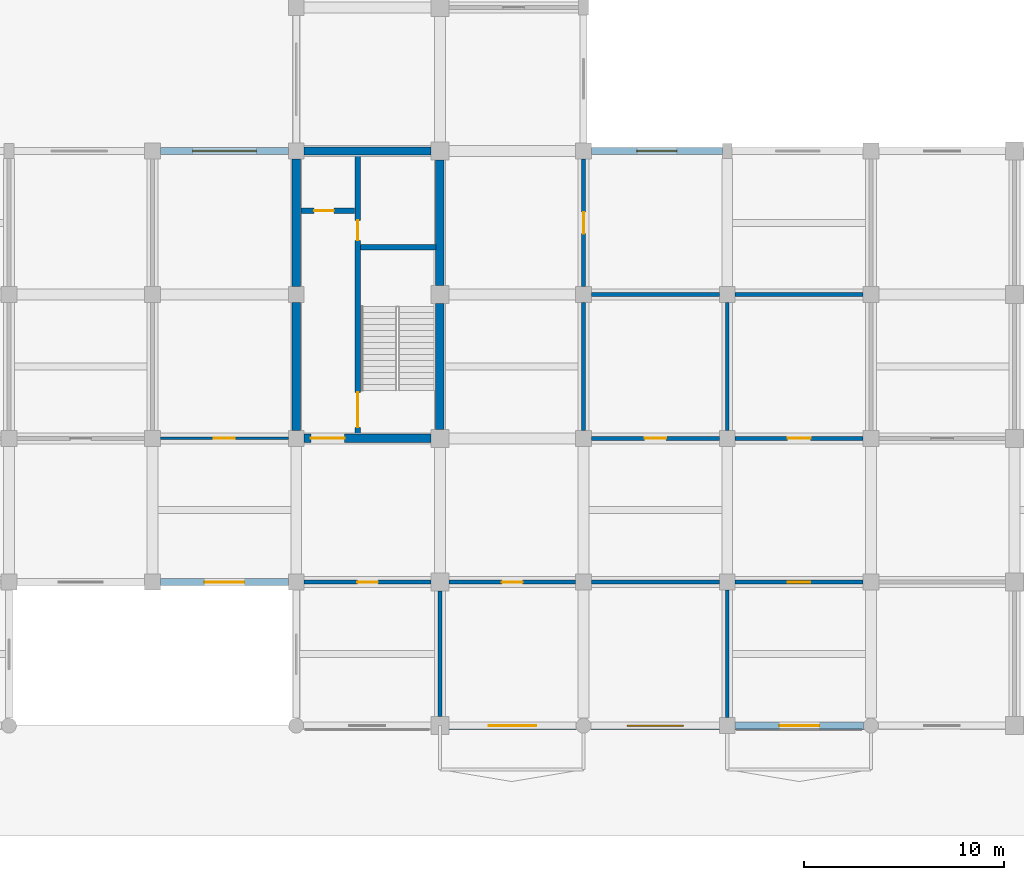
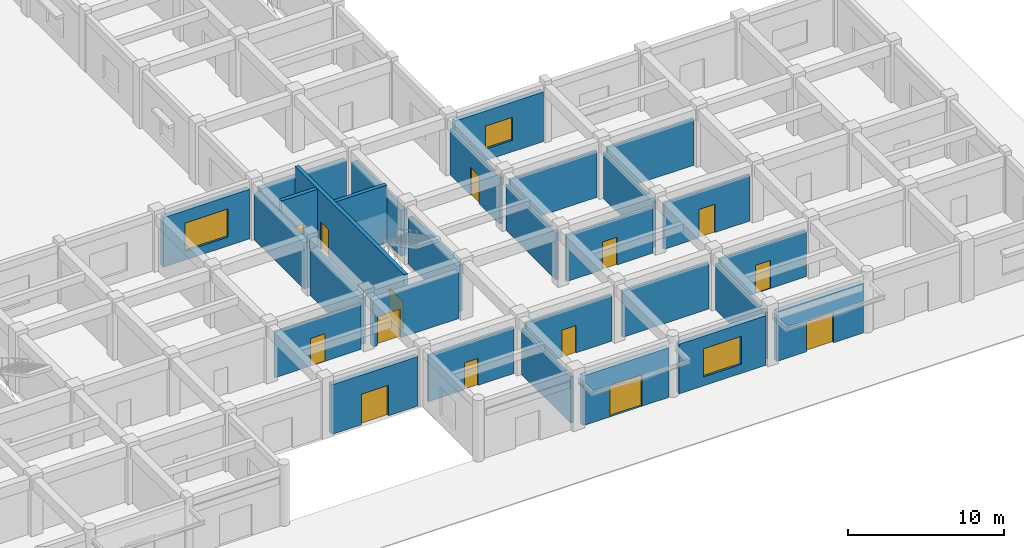
# One storey, part 17 of 37: 29 walls, 14 doors, 3 windows, 17 openings.
"""IFC4 building model written with IfcOpenShell, lengths in metres."""

from ifc_helpers import new_model, si_unit, direction, frame, frame_2d, origin, place, context, subcontext, project, spatial, rectangle, extrude, material, layer, layer_set, type_object, element, fill, save


model = new_model("IFC4")

# Units and contexts
model_context = context("Model", 3, precision=1e-05, world=origin(), true_north=direction((0.0, 1.0)))
body_context = subcontext(model_context, "Body", "Model", "MODEL_VIEW")
ifc_project = project(units=[si_unit("LENGTHUNIT", "METRE"), si_unit("AREAUNIT", "SQUARE_METRE"), si_unit("VOLUMEUNIT", "CUBIC_METRE"), si_unit("PLANEANGLEUNIT", "RADIAN"), si_unit("MASSUNIT", "GRAM", prefix="KILO")], contexts=[model_context])

# Site, building, storey
site_placement = place(None, origin())
site = spatial("IfcSite", under=ifc_project, at=site_placement, CompositionType="ELEMENT")
building_placement = place(site_placement, origin())
building = spatial("IfcBuilding", under=site, at=building_placement, Name="Cendaluz Park School", CompositionType="ELEMENT")
storey_placement = place(building_placement, origin())
storey = spatial("IfcBuildingStorey", under=building, at=storey_placement, Name="L00", CompositionType="ELEMENT", Elevation=0.0)

# Wall
ifc_material_1 = material(Name="Gypsum Plasterboard on Cold-Formed Stud", Category="gypsum")
ifc_layer_1 = layer(ifc_material_1, 0.199951171875)
ifc_layer_set_1 = layer_set([ifc_layer_1], Name="Gypsum Plasterboard on Cold-Formed Stud")
wall_type_1 = type_object("IfcWallType", Name="W-AC20", PredefinedType="PARTITIONING", material=ifc_layer_set_1)
wall_1_placement = place(storey_placement, frame((144.39990234375, 21.60009765625, 0.0), z_axis=(0.0, 0.0, 1.0), x_axis=(1.0, 0.0, 0.0)))
element("IfcWall", 1, at=wall_1_placement, inside=storey, type_object=wall_type_1, Name="WL-FA-CH8", PredefinedType="PARTITIONING", context=body_context, shape_type="SweptSolid", body=[
    extrude(rectangle(XDim=6.400146484375, YDim=0.199951171875, at=frame_2d((3.2001953125, 0.0))), origin(), (0.0, 0.0, 1.0), 3.6201171875),
])

# Wall, opening, door
wall_2_placement = place(storey_placement, frame((144.0, 22.0, 0.0), z_axis=(0.0, 0.0, 1.0), x_axis=(0.0, 1.0, 0.0)))
wall_2 = element("IfcWall", 2, at=wall_2_placement, inside=storey, type_object=wall_type_1, Name="WL-FA-CH9", PredefinedType="PARTITIONING", context=body_context, shape_type="SweptSolid", body=[
    extrude(rectangle(XDim=6.39990234375, YDim=0.199951171875, at=frame_2d((3.199951171875, 0.0))), origin(), (0.0, 0.0, 1.0), 3.6201171875),
])
opening_1_placement = place(wall_2_placement, frame((2.659912109375, 0.0, 0.0)))
opening_1 = element("IfcOpeningElement", 3, at=opening_1_placement, cuts=wall_2, Name="Opening DCL-05", PredefinedType="OPENING", context=body_context, shape_type="SweptSolid", body=[
    extrude(rectangle(XDim=1.080078125, YDim=2.179931640625, at=frame_2d((0.5400390625, 1.08984375))), frame((0.0, 0.112060546875, 0.0), z_axis=(0.0, -1.0, 0.0), x_axis=(1.0, 0.0, 0.0)), (0.0, 0.0, 1.0), 0.223876953125),
])
ifc_material_2 = material(Name="Solid Core Hardwood", Category="wood")
door_type_1 = type_object("IfcDoorType", Name="DCL-05", OperationType="NOTDEFINED", PredefinedType="DOOR", material=ifc_material_2)
door_1_placement = place(opening_1_placement, frame((1.080078125, 0.0, 0.0), z_axis=(0.0, 0.0, 1.0), x_axis=(-1.0, 0.0, 0.0)))
door_1 = element("IfcDoor", 4, at=door_1_placement, inside=storey, type_object=door_type_1, Name="D-L00-087", OperationType="SINGLE_SWING_LEFT", OverallHeight=2.179931640625, OverallWidth=1.080078125, PredefinedType="DOOR", context=body_context, shape_type="SweptSolid", body=[
    extrude(rectangle(XDim=1.080078125, YDim=2.179931640625, at=frame_2d((0.5400390625, 1.08984375))), frame((0.0, 0.02490234375, 0.0), z_axis=(0.0, -1.0, 0.0), x_axis=(1.0, 0.0, 0.0)), (0.0, 0.0, 1.0), 0.050048828125),
])
fill(opening_1, door_1)

# Wall
wall_3_placement = place(storey_placement, frame((151.60009765625, 21.60009765625, 0.0), z_axis=(0.0, 0.0, 1.0), x_axis=(1.0, 0.0, 0.0)))
element("IfcWall", 5, at=wall_3_placement, inside=storey, type_object=wall_type_1, Name="WL-FA-CI0", PredefinedType="PARTITIONING", context=body_context, shape_type="SweptSolid", body=[
    extrude(rectangle(XDim=6.39990234375, YDim=0.199951171875, at=frame_2d((3.199951171875, 0.0))), origin(), (0.0, 0.0, 1.0), 3.6201171875),
])

# Wall, opening, door
wall_4_placement = place(storey_placement, frame((130.0, 7.199951171875, 0.0), z_axis=(0.0, 0.0, 1.0), x_axis=(1.0, 0.0, 0.0)))
wall_4 = element("IfcWall", 6, at=wall_4_placement, inside=storey, type_object=wall_type_1, Name="WL-FA-CM0", PredefinedType="PARTITIONING", context=body_context, shape_type="SweptSolid", body=[
    extrude(rectangle(XDim=6.35009765625, YDim=0.199951171875, at=frame_2d((3.175048828125, 0.0))), origin(), (0.0, 0.0, 1.0), 3.6201171875),
])
opening_2_placement = place(wall_4_placement, frame((2.6650390625, 0.0, 0.0)))
opening_2 = element("IfcOpeningElement", 7, at=opening_2_placement, cuts=wall_4, Name="Opening DCL-02", PredefinedType="OPENING", context=body_context, shape_type="SweptSolid", body=[
    extrude(rectangle(XDim=1.02001953125, YDim=2.1201171875, at=frame_2d((0.510009765625, 1.06005859375))), frame((0.0, 0.112060546875, 0.0), z_axis=(0.0, -1.0, 0.0), x_axis=(1.0, 0.0, 0.0)), (0.0, 0.0, 1.0), 0.223876953125),
])
door_type_2 = type_object("IfcDoorType", Name="DCL-02", OperationType="NOTDEFINED", PredefinedType="DOOR", material=ifc_material_2)
door_2_placement = place(opening_2_placement, frame((1.02001953125, 0.0, 0.0), z_axis=(0.0, 0.0, 1.0), x_axis=(-1.0, 0.0, 0.0)))
door_2 = element("IfcDoor", 8, at=door_2_placement, inside=storey, type_object=door_type_2, Name="D-L00-104", OperationType="SINGLE_SWING_RIGHT", OverallHeight=2.1201171875, OverallWidth=1.02001953125, PredefinedType="DOOR", context=body_context, shape_type="SweptSolid", body=[
    extrude(rectangle(XDim=1.02001953125, YDim=2.1201171875, at=frame_2d((0.510009765625, 1.06005859375))), frame((0.0, 0.02490234375, 0.0), z_axis=(0.0, -1.0, 0.0), x_axis=(1.0, 0.0, 0.0)), (0.0, 0.0, 1.0), 0.050048828125),
])
fill(opening_2, door_2)

# Wall
wall_5_placement = place(storey_placement, frame((136.800048828125, 0.449951171875, 0.0), z_axis=(0.0, 0.0, 1.0), x_axis=(0.0, 1.0, 0.0)))
element("IfcWall", 9, at=wall_5_placement, inside=storey, type_object=wall_type_1, Name="WL-FA-CM1", PredefinedType="PARTITIONING", context=body_context, shape_type="SweptSolid", body=[
    extrude(rectangle(XDim=6.300048828125, YDim=0.199951171875, at=frame_2d((3.14990234375, 0.0))), origin(), (0.0, 0.0, 1.0), 3.6201171875),
])

# Wall, opening, door
wall_6_placement = place(storey_placement, frame((137.25, 7.199951171875, 0.0), z_axis=(0.0, 0.0, 1.0), x_axis=(1.0, 0.0, 0.0)))
wall_6 = element("IfcWall", 10, at=wall_6_placement, inside=storey, type_object=wall_type_1, Name="WL-FA-CM2", PredefinedType="PARTITIONING", context=body_context, shape_type="SweptSolid", body=[
    extrude(rectangle(XDim=6.35009765625, YDim=0.199951171875, at=frame_2d((3.175048828125, 0.0))), origin(), (0.0, 0.0, 1.0), 3.6201171875),
])
opening_3_placement = place(wall_6_placement, frame((2.655029296875, 0.0, 0.0)))
opening_3 = element("IfcOpeningElement", 11, at=opening_3_placement, cuts=wall_6, Name="Opening DCL-03", PredefinedType="OPENING", context=body_context, shape_type="SweptSolid", body=[
    extrude(rectangle(XDim=1.0400390625, YDim=2.139892578125, at=frame_2d((0.52001953125, 1.06982421875))), frame((0.0, 0.112060546875, 0.0), z_axis=(0.0, -1.0, 0.0), x_axis=(1.0, 0.0, 0.0)), (0.0, 0.0, 1.0), 0.223876953125),
])
door_type_3 = type_object("IfcDoorType", Name="DCL-03", OperationType="NOTDEFINED", PredefinedType="DOOR", material=ifc_material_2)
door_3_placement = place(opening_3_placement, frame((1.0400390625, 0.0, 0.0), z_axis=(0.0, 0.0, 1.0), x_axis=(-1.0, 0.0, 0.0)))
door_3 = element("IfcDoor", 12, at=door_3_placement, inside=storey, type_object=door_type_3, Name="D-L00-105", OperationType="SINGLE_SWING_LEFT", OverallHeight=2.139892578125, OverallWidth=1.0400390625, PredefinedType="DOOR", context=body_context, shape_type="SweptSolid", body=[
    extrude(rectangle(XDim=1.0400390625, YDim=2.139892578125, at=frame_2d((0.52001953125, 1.06982421875))), frame((0.0, 0.02490234375, 0.0), z_axis=(0.0, -1.0, 0.0), x_axis=(1.0, 0.0, 0.0)), (0.0, 0.0, 1.0), 0.050048828125),
])
fill(opening_3, door_3)

# Walls
for number, where, z_axis, x_axis, name in (
    (13, (144.39990234375, 7.199951171875, 0.0), (0.0, 0.0, 1.0), (1.0, 0.0, 0.0), "WL-FA-CM3"),
    (14, (151.199951171875, 0.39990234375, 0.0), (0.0, 0.0, 1.0), (0.0, 1.0, 0.0), "WL-FA-CM4"),
):
    element("IfcWall", number, at=place(storey_placement, frame(where, z_axis=z_axis, x_axis=x_axis)), inside=storey, type_object=wall_type_1, Name=name, PredefinedType="PARTITIONING", context=body_context, shape_type="SweptSolid", body=[
        extrude(rectangle(XDim=6.400146484375, YDim=0.199951171875, at=frame_2d((3.2001953125, 0.0))), origin(), (0.0, 0.0, 1.0), 3.6201171875),
    ])

# Wall, opening, door
wall_7_placement = place(storey_placement, frame((144.39990234375, 14.39990234375, 0.0), z_axis=(0.0, 0.0, 1.0), x_axis=(1.0, 0.0, 0.0)))
wall_7 = element("IfcWall", 15, at=wall_7_placement, inside=storey, type_object=wall_type_1, Name="WL-FA-CM7", PredefinedType="PARTITIONING", context=body_context, shape_type="SweptSolid", body=[
    extrude(rectangle(XDim=6.400146484375, YDim=0.199951171875, at=frame_2d((3.2001953125, 0.0))), origin(), (0.0, 0.0, 1.0), 3.6201171875),
])
opening_4_placement = place(wall_7_placement, frame((2.659912109375, 0.0, 0.0)))
opening_4 = element("IfcOpeningElement", 16, at=opening_4_placement, cuts=wall_7, Name="Opening DCL-05", PredefinedType="OPENING", context=body_context, shape_type="SweptSolid", body=[
    extrude(rectangle(XDim=1.080078125, YDim=2.179931640625, at=frame_2d((0.5400390625, 1.08984375))), frame((0.0, 0.112060546875, 0.0), z_axis=(0.0, -1.0, 0.0), x_axis=(1.0, 0.0, 0.0)), (0.0, 0.0, 1.0), 0.223876953125),
])
door_4_placement = place(opening_4_placement, origin())
door_4 = element("IfcDoor", 17, at=door_4_placement, inside=storey, type_object=door_type_1, Name="D-L00-107", OperationType="SINGLE_SWING_LEFT", OverallHeight=2.179931640625, OverallWidth=1.080078125, PredefinedType="DOOR", context=body_context, shape_type="SweptSolid", body=[
    extrude(rectangle(XDim=1.080078125, YDim=2.179931640625, at=frame_2d((0.5400390625, 1.08984375))), frame((0.0, 0.02490234375, 0.0), z_axis=(0.0, -1.0, 0.0), x_axis=(1.0, 0.0, 0.0)), (0.0, 0.0, 1.0), 0.050048828125),
])
fill(opening_4, door_4)

# Walls
for number, where, z_axis, x_axis, name in (
    (18, (144.0, 14.800048828125, 0.0), (0.0, 0.0, 1.0), (0.0, 1.0, 0.0), "WL-FA-CM8"),
    (19, (151.199951171875, 14.800048828125, 0.0), (0.0, 0.0, 1.0), (0.0, 1.0, 0.0), "WL-FA-CM9"),
):
    element("IfcWall", number, at=place(storey_placement, frame(where, z_axis=z_axis, x_axis=x_axis)), inside=storey, type_object=wall_type_1, Name=name, PredefinedType="PARTITIONING", context=body_context, shape_type="SweptSolid", body=[
        extrude(rectangle(XDim=6.39990234375, YDim=0.199951171875, at=frame_2d((3.199951171875, 0.0))), origin(), (0.0, 0.0, 1.0), 3.6201171875),
    ])

# Wall, opening, door
wall_8_placement = place(storey_placement, frame((151.60009765625, 7.199951171875, 0.0), z_axis=(0.0, 0.0, 1.0), x_axis=(1.0, 0.0, 0.0)))
wall_8 = element("IfcWall", 20, at=wall_8_placement, inside=storey, type_object=wall_type_1, Name="WL-FA-CN0", PredefinedType="PARTITIONING", context=body_context, shape_type="SweptSolid", body=[
    extrude(rectangle(XDim=6.39990234375, YDim=0.199951171875, at=frame_2d((3.199951171875, 0.0))), origin(), (0.0, 0.0, 1.0), 3.6201171875),
])
opening_5_placement = place(wall_8_placement, frame((2.639892578125, 0.0, 0.0)))
opening_5 = element("IfcOpeningElement", 21, at=opening_5_placement, cuts=wall_8, Name="Opening DCL-06", PredefinedType="OPENING", context=body_context, shape_type="SweptSolid", body=[
    extrude(rectangle(XDim=1.1201171875, YDim=2.199951171875, at=frame_2d((0.56005859375, 1.10009765625))), frame((0.0, 0.112060546875, 0.0), z_axis=(0.0, -1.0, 0.0), x_axis=(1.0, 0.0, 0.0)), (0.0, 0.0, 1.0), 0.223876953125),
])
door_type_4 = type_object("IfcDoorType", Name="DCL-06", OperationType="NOTDEFINED", PredefinedType="DOOR", material=ifc_material_2)
door_5_placement = place(opening_5_placement, frame((1.1201171875, 0.0, 0.0), z_axis=(0.0, 0.0, 1.0), x_axis=(-1.0, 0.0, 0.0)))
door_5 = element("IfcDoor", 22, at=door_5_placement, inside=storey, type_object=door_type_4, Name="D-L00-108", OperationType="SINGLE_SWING_RIGHT", OverallHeight=2.199951171875, OverallWidth=1.1201171875, PredefinedType="DOOR", context=body_context, shape_type="SweptSolid", body=[
    extrude(rectangle(XDim=1.1201171875, YDim=2.199951171875, at=frame_2d((0.56005859375, 1.10009765625))), frame((0.0, 0.02490234375, 0.0), z_axis=(0.0, -1.0, 0.0), x_axis=(1.0, 0.0, 0.0)), (0.0, 0.0, 1.0), 0.050048828125),
])
fill(opening_5, door_5)

wall_9_placement = place(storey_placement, frame((151.60009765625, 14.39990234375, 0.0), z_axis=(0.0, 0.0, 1.0), x_axis=(1.0, 0.0, 0.0)))
wall_9 = element("IfcWall", 23, at=wall_9_placement, inside=storey, type_object=wall_type_1, Name="WL-FA-CN3", PredefinedType="PARTITIONING", context=body_context, shape_type="SweptSolid", body=[
    extrude(rectangle(XDim=6.39990234375, YDim=0.199951171875, at=frame_2d((3.199951171875, 0.0))), origin(), (0.0, 0.0, 1.0), 3.6201171875),
])
opening_6_placement = place(wall_9_placement, frame((2.6201171875, 0.0, 0.0)))
opening_6 = element("IfcOpeningElement", 24, at=opening_6_placement, cuts=wall_9, Name="Opening DCL-07", PredefinedType="OPENING", context=body_context, shape_type="SweptSolid", body=[
    extrude(rectangle(XDim=1.159912109375, YDim=2.219970703125, at=frame_2d((0.580078125, 1.10986328125))), frame((0.0, 0.112060546875, 0.0), z_axis=(0.0, -1.0, 0.0), x_axis=(1.0, 0.0, 0.0)), (0.0, 0.0, 1.0), 0.223876953125),
])
door_type_5 = type_object("IfcDoorType", Name="DCL-07", OperationType="NOTDEFINED", PredefinedType="DOOR", material=ifc_material_2)
door_6_placement = place(opening_6_placement, origin())
door_6 = element("IfcDoor", 25, at=door_6_placement, inside=storey, type_object=door_type_5, Name="D-L00-109", OperationType="SINGLE_SWING_LEFT", OverallHeight=2.219970703125, OverallWidth=1.159912109375, PredefinedType="DOOR", context=body_context, shape_type="SweptSolid", body=[
    extrude(rectangle(XDim=1.159912109375, YDim=2.219970703125, at=frame_2d((0.580078125, 1.10986328125))), frame((0.0, 0.02490234375, 0.0), z_axis=(0.0, -1.0, 0.0), x_axis=(1.0, 0.0, 0.0)), (0.0, 0.0, 1.0), 0.050048828125),
])
fill(opening_6, door_6)

ifc_material_3 = material(Name="Concrete C40/50 precast", Category="concrete")
ifc_layer_2 = layer(ifc_material_3, 0.360107421875)
ifc_layer_set_2 = layer_set([ifc_layer_2], Name="Concrete C40/50 precast")
wall_type_2 = type_object("IfcWallType", Name="W-EX36", PredefinedType="SOLIDWALL", material=ifc_layer_set_2)
wall_10_placement = place(storey_placement, frame((122.800048828125, 7.199951171875, 0.0), z_axis=(0.0, 0.0, 1.0), x_axis=(1.0, 0.0, 0.0)))
wall_10 = element("IfcWall", 26, at=wall_10_placement, inside=storey, type_object=wall_type_2, Name="WL-FA-AH9", PredefinedType="SOLIDWALL", context=body_context, shape_type="SweptSolid", body=[
    extrude(rectangle(XDim=6.39990234375, YDim=0.360107421875, at=frame_2d((3.199951171875, 0.0))), origin(), (0.0, 0.0, 1.0), 3.889892578125),
])
opening_7_placement = place(wall_10_placement, frame((2.199951171875, 0.0, 0.0)))
opening_7 = element("IfcOpeningElement", 27, at=opening_7_placement, cuts=wall_10, Name="Opening DEX-02", PredefinedType="OPENING", context=body_context, shape_type="SweptSolid", body=[
    extrude(rectangle(XDim=2.0, YDim=2.39990234375, at=frame_2d((1.0, 1.199951171875))), frame((0.0, 0.192138671875, 0.0), z_axis=(0.0, -1.0, 0.0), x_axis=(1.0, 0.0, 0.0)), (0.0, 0.0, 1.0), 0.384033203125),
])
ifc_material_4 = material(Name="Architectural Bronze")
door_type_6 = type_object("IfcDoorType", Name="DEX-02", OperationType="DOUBLE_DOOR_SINGLE_SWING", PredefinedType="DOOR", material=ifc_material_4)
door_7_placement = place(opening_7_placement, frame((2.0, 0.0, 0.0), z_axis=(0.0, 0.0, 1.0), x_axis=(-1.0, 0.0, 0.0)))
door_7 = element("IfcDoor", 28, at=door_7_placement, inside=storey, type_object=door_type_6, Name="D-L00-020", OperationType="DOUBLE_DOOR_SINGLE_SWING", OverallHeight=2.39990234375, OverallWidth=2.0, PredefinedType="DOOR", context=body_context, shape_type="SweptSolid", body=[
    extrude(rectangle(XDim=2.0, YDim=2.39990234375, at=frame_2d((1.0, 1.199951171875))), frame((0.0, 0.02490234375, 0.0), z_axis=(0.0, -1.0, 0.0), x_axis=(1.0, 0.0, 0.0)), (0.0, 0.0, 1.0), 0.050048828125),
])
fill(opening_7, door_7)

# Wall, opening, window
wall_11_placement = place(storey_placement, frame((122.800048828125, 28.800048828125, 0.0), z_axis=(0.0, 0.0, 1.0), x_axis=(1.0, 0.0, 0.0)))
wall_11 = element("IfcWall", 29, at=wall_11_placement, inside=storey, type_object=wall_type_2, Name="WL-FA-AI0", PredefinedType="SOLIDWALL", context=body_context, shape_type="SweptSolid", body=[
    extrude(rectangle(XDim=6.39990234375, YDim=0.360107421875, at=frame_2d((3.199951171875, 0.0))), origin(), (0.0, 0.0, 1.0), 3.889892578125),
])
opening_8_placement = place(wall_11_placement, frame((1.60009765625, 0.0, 0.699951171875)))
opening_8 = element("IfcOpeningElement", 30, at=opening_8_placement, cuts=wall_11, Name="Opening WN-25", PredefinedType="OPENING", context=body_context, shape_type="SweptSolid", body=[
    extrude(rectangle(XDim=3.199951171875, YDim=2.199951171875, at=frame_2d((1.60009765625, 1.10009765625))), frame((0.0, 0.192138671875, 0.0), z_axis=(0.0, -1.0, 0.0), x_axis=(1.0, 0.0, 0.0)), (0.0, 0.0, 1.0), 0.384033203125),
])
ifc_material_5 = material(Name="Tempered Low-E Double Glazing", Category="glass")
window_type_1 = type_object("IfcWindowType", Name="WN-25", PartitioningType="SINGLE_PANEL", PredefinedType="WINDOW", material=ifc_material_5)
window_1_placement = place(opening_8_placement, origin())
window_1 = element("IfcWindow", 31, at=window_1_placement, inside=storey, type_object=window_type_1, Name="WN-L00-061", OverallHeight=2.199951171875, OverallWidth=3.199951171875, PartitioningType="SINGLE_PANEL", PredefinedType="WINDOW", context=body_context, shape_type="SweptSolid", body=[
    extrude(rectangle(XDim=3.199951171875, YDim=2.199951171875, at=frame_2d((1.60009765625, 1.10009765625))), frame((0.0, 0.030029296875, 0.0), z_axis=(0.0, -1.0, 0.0), x_axis=(1.0, 0.0, 0.0)), (0.0, 0.0, 1.0), 0.06005859375),
])
fill(opening_8, window_1)

# Wall, opening, door
wall_12_placement = place(storey_placement, frame((137.25, 0.0, 0.0), z_axis=(0.0, 0.0, 1.0), x_axis=(1.0, 0.0, 0.0)))
wall_12 = element("IfcWall", 32, at=wall_12_placement, inside=storey, type_object=wall_type_2, Name="WL-FA-AJ6", PredefinedType="SOLIDWALL", context=body_context, shape_type="SweptSolid", body=[
    extrude(rectangle(XDim=6.375, YDim=0.360107421875, at=frame_2d((3.1875, 0.0))), origin(), (0.0, 0.0, 1.0), 3.889892578125),
])
opening_9_placement = place(wall_12_placement, frame((1.987548828125, 0.0, 0.0)))
opening_9 = element("IfcOpeningElement", 33, at=opening_9_placement, cuts=wall_12, Name="Opening DEX-04", PredefinedType="OPENING", context=body_context, shape_type="SweptSolid", body=[
    extrude(rectangle(XDim=2.39990234375, YDim=2.449951171875, at=frame_2d((1.199951171875, 1.22509765625))), frame((0.0, 0.192138671875, 0.0), z_axis=(0.0, -1.0, 0.0), x_axis=(1.0, 0.0, 0.0)), (0.0, 0.0, 1.0), 0.384033203125),
])
door_type_7 = type_object("IfcDoorType", Name="DEX-04", OperationType="DOUBLE_DOOR_SINGLE_SWING", PredefinedType="DOOR", material=ifc_material_4)
door_8_placement = place(opening_9_placement, frame((2.39990234375, 0.0, 0.0), z_axis=(0.0, 0.0, 1.0), x_axis=(-1.0, 0.0, 0.0)))
door_8 = element("IfcDoor", 34, at=door_8_placement, inside=storey, type_object=door_type_7, Name="D-L00-022", OperationType="DOUBLE_DOOR_SINGLE_SWING", OverallHeight=2.449951171875, OverallWidth=2.39990234375, PredefinedType="DOOR", context=body_context, shape_type="SweptSolid", body=[
    extrude(rectangle(XDim=2.39990234375, YDim=2.449951171875, at=frame_2d((1.199951171875, 1.22509765625))), frame((0.0, 0.02490234375, 0.0), z_axis=(0.0, -1.0, 0.0), x_axis=(1.0, 0.0, 0.0)), (0.0, 0.0, 1.0), 0.050048828125),
])
fill(opening_9, door_8)

# Wall, opening, window
wall_13_placement = place(storey_placement, frame((144.375, 0.0, 0.0), z_axis=(0.0, 0.0, 1.0), x_axis=(1.0, 0.0, 0.0)))
wall_13 = element("IfcWall", 35, at=wall_13_placement, inside=storey, type_object=wall_type_2, Name="WL-FA-AK0", PredefinedType="SOLIDWALL", context=body_context, shape_type="SweptSolid", body=[
    extrude(rectangle(XDim=6.425048828125, YDim=0.360107421875, at=frame_2d((3.21240234375, 0.0))), origin(), (0.0, 0.0, 1.0), 3.889892578125),
])
opening_10_placement = place(wall_13_placement, frame((1.8125, 0.0, 0.699951171875)))
opening_10 = element("IfcOpeningElement", 36, at=opening_10_placement, cuts=wall_13, Name="Opening WN-24", PredefinedType="OPENING", context=body_context, shape_type="SweptSolid", body=[
    extrude(rectangle(XDim=2.800048828125, YDim=2.199951171875, at=frame_2d((1.39990234375, 1.10009765625))), frame((0.0, 0.192138671875, 0.0), z_axis=(0.0, -1.0, 0.0), x_axis=(1.0, 0.0, 0.0)), (0.0, 0.0, 1.0), 0.384033203125),
])
window_type_2 = type_object("IfcWindowType", Name="WN-24", PartitioningType="SINGLE_PANEL", PredefinedType="WINDOW", material=ifc_material_5)
window_2_placement = place(opening_10_placement, origin())
window_2 = element("IfcWindow", 37, at=window_2_placement, inside=storey, type_object=window_type_2, Name="WN-L00-078", OverallHeight=2.199951171875, OverallWidth=2.800048828125, PartitioningType="SINGLE_PANEL", PredefinedType="WINDOW", context=body_context, shape_type="SweptSolid", body=[
    extrude(rectangle(XDim=2.800048828125, YDim=2.199951171875, at=frame_2d((1.39990234375, 1.10009765625))), frame((0.0, 0.030029296875, 0.0), z_axis=(0.0, -1.0, 0.0), x_axis=(1.0, 0.0, 0.0)), (0.0, 0.0, 1.0), 0.06005859375),
])
fill(opening_10, window_2)

wall_14_placement = place(storey_placement, frame((144.39990234375, 28.800048828125, 0.0), z_axis=(0.0, 0.0, 1.0), x_axis=(1.0, 0.0, 0.0)))
wall_14 = element("IfcWall", 38, at=wall_14_placement, inside=storey, type_object=wall_type_2, Name="WL-FA-AK1", PredefinedType="SOLIDWALL", context=body_context, shape_type="SweptSolid", body=[
    extrude(rectangle(XDim=6.550048828125, YDim=0.360107421875, at=frame_2d((3.27490234375, 0.0))), origin(), (0.0, 0.0, 1.0), 3.889892578125),
])
opening_11_placement = place(wall_14_placement, frame((2.27490234375, 0.0, 0.89990234375)))
opening_11 = element("IfcOpeningElement", 39, at=opening_11_placement, cuts=wall_14, Name="Opening WN-02", PredefinedType="OPENING", context=body_context, shape_type="SweptSolid", body=[
    extrude(rectangle(XDim=2.0, YDim=1.800048828125, at=frame_2d((1.0, 0.89990234375))), frame((0.0, 0.192138671875, 0.0), z_axis=(0.0, -1.0, 0.0), x_axis=(1.0, 0.0, 0.0)), (0.0, 0.0, 1.0), 0.384033203125),
])
window_type_3 = type_object("IfcWindowType", Name="WN-02", PartitioningType="SINGLE_PANEL", PredefinedType="WINDOW", material=ifc_material_5)
window_3_placement = place(opening_11_placement, origin())
window_3 = element("IfcWindow", 40, at=window_3_placement, inside=storey, type_object=window_type_3, Name="WN-L00-079", OverallHeight=1.800048828125, OverallWidth=2.0, PartitioningType="SINGLE_PANEL", PredefinedType="WINDOW", context=body_context, shape_type="SweptSolid", body=[
    extrude(rectangle(XDim=2.0, YDim=1.800048828125, at=frame_2d((1.0, 0.89990234375))), frame((0.0, 0.030029296875, 0.0), z_axis=(0.0, -1.0, 0.0), x_axis=(1.0, 0.0, 0.0)), (0.0, 0.0, 1.0), 0.06005859375),
])
fill(opening_11, window_3)

# Wall, opening, door
wall_15_placement = place(storey_placement, frame((151.60009765625, 0.0, 0.0), z_axis=(0.0, 0.0, 1.0), x_axis=(1.0, 0.0, 0.0)))
wall_15 = element("IfcWall", 41, at=wall_15_placement, inside=storey, type_object=wall_type_2, Name="WL-FA-AK4", PredefinedType="SOLIDWALL", context=body_context, shape_type="SweptSolid", body=[
    extrude(rectangle(XDim=6.4248046875, YDim=0.360107421875, at=frame_2d((3.21240234375, 0.0))), origin(), (0.0, 0.0, 1.0), 3.889892578125),
])
opening_12_placement = place(wall_15_placement, frame((2.21240234375, 0.0, 0.0)))
opening_12 = element("IfcOpeningElement", 42, at=opening_12_placement, cuts=wall_15, Name="Opening DEX-02", PredefinedType="OPENING", context=body_context, shape_type="SweptSolid", body=[
    extrude(rectangle(XDim=2.0, YDim=2.39990234375, at=frame_2d((1.0, 1.199951171875))), frame((0.0, 0.192138671875, 0.0), z_axis=(0.0, -1.0, 0.0), x_axis=(1.0, 0.0, 0.0)), (0.0, 0.0, 1.0), 0.384033203125),
])
door_9_placement = place(opening_12_placement, frame((2.0, 0.0, 0.0), z_axis=(0.0, 0.0, 1.0), x_axis=(-1.0, 0.0, 0.0)))
door_9 = element("IfcDoor", 43, at=door_9_placement, inside=storey, type_object=door_type_6, Name="D-L00-024", OperationType="DOUBLE_DOOR_SINGLE_SWING", OverallHeight=2.39990234375, OverallWidth=2.0, PredefinedType="DOOR", context=body_context, shape_type="SweptSolid", body=[
    extrude(rectangle(XDim=2.0, YDim=2.39990234375, at=frame_2d((1.0, 1.199951171875))), frame((0.0, 0.02490234375, 0.0), z_axis=(0.0, -1.0, 0.0), x_axis=(1.0, 0.0, 0.0)), (0.0, 0.0, 1.0), 0.050048828125),
])
fill(opening_12, door_9)

# Wall, openings, doors
ifc_material_6 = material(Name="Concrete C40/50", Category="concrete")
ifc_layer_3 = layer(ifc_material_6, 0.280029296875)
ifc_layer_set_3 = layer_set([ifc_layer_3], Name="Concrete C40/50")
wall_type_3 = type_object("IfcWallType", Name="W-FW28", PredefinedType="SHEAR", material=ifc_layer_set_3)
wall_16_placement = place(storey_placement, frame((132.679931640625, 14.60009765625, 0.0), z_axis=(0.0, 0.0, 1.0), x_axis=(0.0, 1.0, 0.0)))
wall_16 = element("IfcWall", 44, at=wall_16_placement, inside=storey, type_object=wall_type_3, Name="WL-FA-BV9", PredefinedType="SHEAR", context=body_context, shape_type="SweptSolid", body=[
    extrude(rectangle(XDim=14.0, YDim=0.280029296875, at=frame_2d((7.0, 0.0))), origin(), (0.0, 0.0, 1.0), 4.52001953125),
])
opening_13_placement = place(wall_16_placement, frame((0.35009765625, 0.0, 0.0)))
opening_13 = element("IfcOpeningElement", 45, at=opening_13_placement, cuts=wall_16, Name="Opening DST-03", PredefinedType="OPENING", context=body_context, shape_type="SweptSolid", body=[
    extrude(rectangle(XDim=1.75, YDim=2.14990234375, at=frame_2d((0.875, 1.074951171875))), frame((0.0, 0.152099609375, 0.0), z_axis=(0.0, -1.0, 0.0), x_axis=(1.0, 0.0, 0.0)), (0.0, 0.0, 1.0), 0.303955078125),
])
opening_14_placement = place(wall_16_placement, frame((9.719970703125, 0.0, 0.0)))
opening_14 = element("IfcOpeningElement", 46, at=opening_14_placement, cuts=wall_16, Name="Opening DFC-01", PredefinedType="OPENING", context=body_context, shape_type="SweptSolid", body=[
    extrude(rectangle(XDim=1.0, YDim=2.14990234375, at=frame_2d((0.5, 1.074951171875))), frame((0.0, 0.152099609375, 0.0), z_axis=(0.0, -1.0, 0.0), x_axis=(1.0, 0.0, 0.0)), (0.0, 0.0, 1.0), 0.303955078125),
])
door_type_8 = type_object("IfcDoorType", Name="DFC-01", OperationType="NOTDEFINED", PredefinedType="DOOR", material=ifc_material_2)
door_10_placement = place(opening_14_placement, frame((1.0, 0.0, 0.0), z_axis=(0.0, 0.0, 1.0), x_axis=(-1.0, 0.0, 0.0)))
door_10 = element("IfcDoor", 47, at=door_10_placement, inside=storey, type_object=door_type_8, Name="D-L00-054", OperationType="SINGLE_SWING_LEFT", OverallHeight=2.14990234375, OverallWidth=1.0, PredefinedType="DOOR", context=body_context, shape_type="SweptSolid", body=[
    extrude(rectangle(XDim=1.0, YDim=2.14990234375, at=frame_2d((0.5, 1.074951171875))), frame((0.0, 0.02490234375, 0.0), z_axis=(0.0, -1.0, 0.0), x_axis=(1.0, 0.0, 0.0)), (0.0, 0.0, 1.0), 0.050048828125),
])
fill(opening_14, door_10)
door_type_9 = type_object("IfcDoorType", Name="DST-03", OperationType="DOUBLE_DOOR_SINGLE_SWING", PredefinedType="DOOR", material=ifc_material_2)
door_11_placement = place(opening_13_placement, origin())
door_11 = element("IfcDoor", 48, at=door_11_placement, inside=storey, type_object=door_type_9, Name="D-L00-053", OperationType="DOUBLE_DOOR_SINGLE_SWING", OverallHeight=2.14990234375, OverallWidth=1.75, PredefinedType="DOOR", context=body_context, shape_type="SweptSolid", body=[
    extrude(rectangle(XDim=1.75, YDim=2.14990234375, at=frame_2d((0.875, 1.074951171875))), frame((0.0, 0.02490234375, 0.0), z_axis=(0.0, -1.0, 0.0), x_axis=(1.0, 0.0, 0.0)), (0.0, 0.0, 1.0), 0.050048828125),
])
fill(opening_13, door_11)

# Wall
wall_17_placement = place(storey_placement, frame((132.820068359375, 23.97998046875, 0.0), z_axis=(0.0, 0.0, 1.0), x_axis=(1.0, 0.0, 0.0)))
element("IfcWall", 49, at=wall_17_placement, inside=storey, type_object=wall_type_3, Name="WL-FA-BW0", PredefinedType="SHEAR", context=body_context, shape_type="SweptSolid", body=[
    extrude(rectangle(XDim=3.780029296875, YDim=0.280029296875, at=frame_2d((1.89013671875, 0.0))), origin(), (0.0, 0.0, 1.0), 4.52001953125),
])

# Wall, opening, door
wall_18_placement = place(storey_placement, frame((129.840087890625, 25.800048828125, 0.0), z_axis=(0.0, 0.0, 1.0), x_axis=(1.0, 0.0, 0.0)))
wall_18 = element("IfcWall", 50, at=wall_18_placement, inside=storey, type_object=wall_type_3, Name="WL-FA-BW1", PredefinedType="SHEAR", context=body_context, shape_type="SweptSolid", body=[
    extrude(rectangle(XDim=2.679931640625, YDim=0.280029296875, at=frame_2d((1.33984375, 0.0))), origin(), (0.0, 0.0, 1.0), 4.52001953125),
])
opening_15_placement = place(wall_18_placement, frame((0.64990234375, 0.0, 0.0)))
opening_15 = element("IfcOpeningElement", 51, at=opening_15_placement, cuts=wall_18, Name="Opening DFC-01", PredefinedType="OPENING", context=body_context, shape_type="SweptSolid", body=[
    extrude(rectangle(XDim=1.0, YDim=2.14990234375, at=frame_2d((0.5, 1.074951171875))), frame((0.0, 0.152099609375, 0.0), z_axis=(0.0, -1.0, 0.0), x_axis=(1.0, 0.0, 0.0)), (0.0, 0.0, 1.0), 0.303955078125),
])
door_12_placement = place(opening_15_placement, frame((1.0, 0.0, 0.0), z_axis=(0.0, 0.0, 1.0), x_axis=(-1.0, 0.0, 0.0)))
door_12 = element("IfcDoor", 52, at=door_12_placement, inside=storey, type_object=door_type_8, Name="D-L00-055", OperationType="SINGLE_SWING_RIGHT", OverallHeight=2.14990234375, OverallWidth=1.0, PredefinedType="DOOR", context=body_context, shape_type="SweptSolid", body=[
    extrude(rectangle(XDim=1.0, YDim=2.14990234375, at=frame_2d((0.5, 1.074951171875))), frame((0.0, 0.02490234375, 0.0), z_axis=(0.0, -1.0, 0.0), x_axis=(1.0, 0.0, 0.0)), (0.0, 0.0, 1.0), 0.050048828125),
])
fill(opening_15, door_12)

ifc_layer_4 = layer(ifc_material_1, 0.1201171875)
ifc_layer_set_4 = layer_set([ifc_layer_4], Name="Gypsum Plasterboard on Cold-Formed Stud")
wall_type_4 = type_object("IfcWallType", Name="W-MV12", PredefinedType="MOVABLE", material=ifc_layer_set_4)
wall_19_placement = place(storey_placement, frame((122.800048828125, 14.39990234375, 0.0), z_axis=(0.0, 0.0, 1.0), x_axis=(1.0, 0.0, 0.0)))
wall_19 = element("IfcWall", 53, at=wall_19_placement, inside=storey, type_object=wall_type_4, Name="WL-FA-CH7", PredefinedType="MOVABLE", context=body_context, shape_type="SweptSolid", body=[
    extrude(rectangle(XDim=6.39990234375, YDim=0.1201171875, at=frame_2d((3.199951171875, 0.0))), origin(), (0.0, 0.0, 1.0), 3.6201171875),
])
opening_16_placement = place(wall_19_placement, frame((2.669921875, 0.0, 0.0)))
opening_16 = element("IfcOpeningElement", 54, at=opening_16_placement, cuts=wall_19, Name="Opening DCL-04", PredefinedType="OPENING", context=body_context, shape_type="SweptSolid", body=[
    extrude(rectangle(XDim=1.06005859375, YDim=2.159912109375, at=frame_2d((0.530029296875, 1.080078125))), frame((0.0, 0.072021484375, 0.0), z_axis=(0.0, -1.0, 0.0), x_axis=(1.0, 0.0, 0.0)), (0.0, 0.0, 1.0), 0.14404296875),
])
door_type_10 = type_object("IfcDoorType", Name="DCL-04", OperationType="NOTDEFINED", PredefinedType="DOOR", material=ifc_material_2)
door_13_placement = place(opening_16_placement, origin())
door_13 = element("IfcDoor", 55, at=door_13_placement, inside=storey, type_object=door_type_10, Name="D-L00-086", OperationType="SINGLE_SWING_RIGHT", OverallHeight=2.159912109375, OverallWidth=1.06005859375, PredefinedType="DOOR", context=body_context, shape_type="SweptSolid", body=[
    extrude(rectangle(XDim=1.06005859375, YDim=2.159912109375, at=frame_2d((0.530029296875, 1.080078125))), frame((0.0, 0.02490234375, 0.0), z_axis=(0.0, -1.0, 0.0), x_axis=(1.0, 0.0, 0.0)), (0.0, 0.0, 1.0), 0.050048828125),
])
fill(opening_16, door_13)

# Walls
ifc_layer_5 = layer(ifc_material_6, 0.419921875)
ifc_layer_set_5 = layer_set([ifc_layer_5], Name="Concrete C40/50")
wall_type_5 = type_object("IfcWallType", Name="W-SH42", PredefinedType="SHEAR", material=ifc_layer_set_5)
for number, where, z_axis, x_axis, name in (
    (56, (129.60009765625, 14.800048828125, 0.0), (0.0, 0.0, 1.0), (0.0, 1.0, 0.0), "WL-FA-BV3"),
    (57, (129.60009765625, 22.0, 0.0), (0.0, 0.0, 1.0), (0.0, 1.0, 0.0), "WL-FA-BV4"),
):
    element("IfcWall", number, at=place(storey_placement, frame(where, z_axis=z_axis, x_axis=x_axis)), inside=storey, type_object=wall_type_5, Name=name, PredefinedType="SHEAR", context=body_context, shape_type="SweptSolid", body=[
        extrude(rectangle(XDim=6.39990234375, YDim=0.419921875, at=frame_2d((3.199951171875, 0.0))), origin(), (0.0, 0.0, 1.0), 3.6201171875),
    ])
wall_20_placement = place(storey_placement, frame((136.800048828125, 14.85009765625, 0.0), z_axis=(0.0, 0.0, 1.0), x_axis=(0.0, 1.0, 0.0)))
element("IfcWall", 58, at=wall_20_placement, inside=storey, type_object=wall_type_5, Name="WL-FA-BV5", PredefinedType="SHEAR", context=body_context, shape_type="SweptSolid", body=[
    extrude(rectangle(XDim=6.2998046875, YDim=0.419921875, at=frame_2d((3.14990234375, 0.0))), origin(), (0.0, 0.0, 1.0), 3.6201171875),
])
wall_21_placement = place(storey_placement, frame((136.800048828125, 22.050048828125, 0.0), z_axis=(0.0, 0.0, 1.0), x_axis=(0.0, 1.0, 0.0)))
element("IfcWall", 59, at=wall_21_placement, inside=storey, type_object=wall_type_5, Name="WL-FA-BV6", PredefinedType="SHEAR", context=body_context, shape_type="SweptSolid", body=[
    extrude(rectangle(XDim=6.300048828125, YDim=0.419921875, at=frame_2d((3.14990234375, 0.0))), origin(), (0.0, 0.0, 1.0), 3.6201171875),
])

# Wall, opening, door
wall_22_placement = place(storey_placement, frame((130.0, 14.39990234375, 0.0), z_axis=(0.0, 0.0, 1.0), x_axis=(1.0, 0.0, 0.0)))
wall_22 = element("IfcWall", 60, at=wall_22_placement, inside=storey, type_object=wall_type_5, Name="WL-FA-BV7", PredefinedType="SHEAR", context=body_context, shape_type="SweptSolid", body=[
    extrude(rectangle(XDim=6.35009765625, YDim=0.419921875, at=frame_2d((3.175048828125, 0.0))), origin(), (0.0, 0.0, 1.0), 3.6201171875),
])
opening_17_placement = place(wall_22_placement, frame((0.330078125, 0.0, 0.0)))
opening_17 = element("IfcOpeningElement", 61, at=opening_17_placement, cuts=wall_22, Name="Opening DLB-02", PredefinedType="OPENING", context=body_context, shape_type="SweptSolid", body=[
    extrude(rectangle(XDim=1.699951171875, YDim=2.25, at=frame_2d((0.85009765625, 1.125))), frame((0.0, 0.221923828125, 0.0), z_axis=(0.0, -1.0, 0.0), x_axis=(1.0, 0.0, 0.0)), (0.0, 0.0, 1.0), 0.44384765625),
])
door_type_11 = type_object("IfcDoorType", Name="DLB-02", OperationType="DOUBLE_DOOR_SINGLE_SWING", PredefinedType="DOOR", material=ifc_material_2)
door_14_placement = place(opening_17_placement, frame((1.699951171875, 0.0, 0.0), z_axis=(0.0, 0.0, 1.0), x_axis=(-1.0, 0.0, 0.0)))
door_14 = element("IfcDoor", 62, at=door_14_placement, inside=storey, type_object=door_type_11, Name="D-L00-052", OperationType="DOUBLE_DOOR_SINGLE_SWING", OverallHeight=2.25, OverallWidth=1.699951171875, PredefinedType="DOOR", context=body_context, shape_type="SweptSolid", body=[
    extrude(rectangle(XDim=1.699951171875, YDim=2.25, at=frame_2d((0.85009765625, 1.125))), frame((0.0, 0.02490234375, 0.0), z_axis=(0.0, -1.0, 0.0), x_axis=(1.0, 0.0, 0.0)), (0.0, 0.0, 1.0), 0.050048828125),
])
fill(opening_17, door_14)

# Wall
wall_23_placement = place(storey_placement, frame((130.0, 28.800048828125, 0.0), z_axis=(0.0, 0.0, 1.0), x_axis=(1.0, 0.0, 0.0)))
element("IfcWall", 63, at=wall_23_placement, inside=storey, type_object=wall_type_5, Name="WL-FA-BV8", PredefinedType="SHEAR", context=body_context, shape_type="SweptSolid", body=[
    extrude(rectangle(XDim=6.35009765625, YDim=0.419921875, at=frame_2d((3.175048828125, 0.0))), origin(), (0.0, 0.0, 1.0), 3.6201171875),
])

save(model, "model.ifc")
